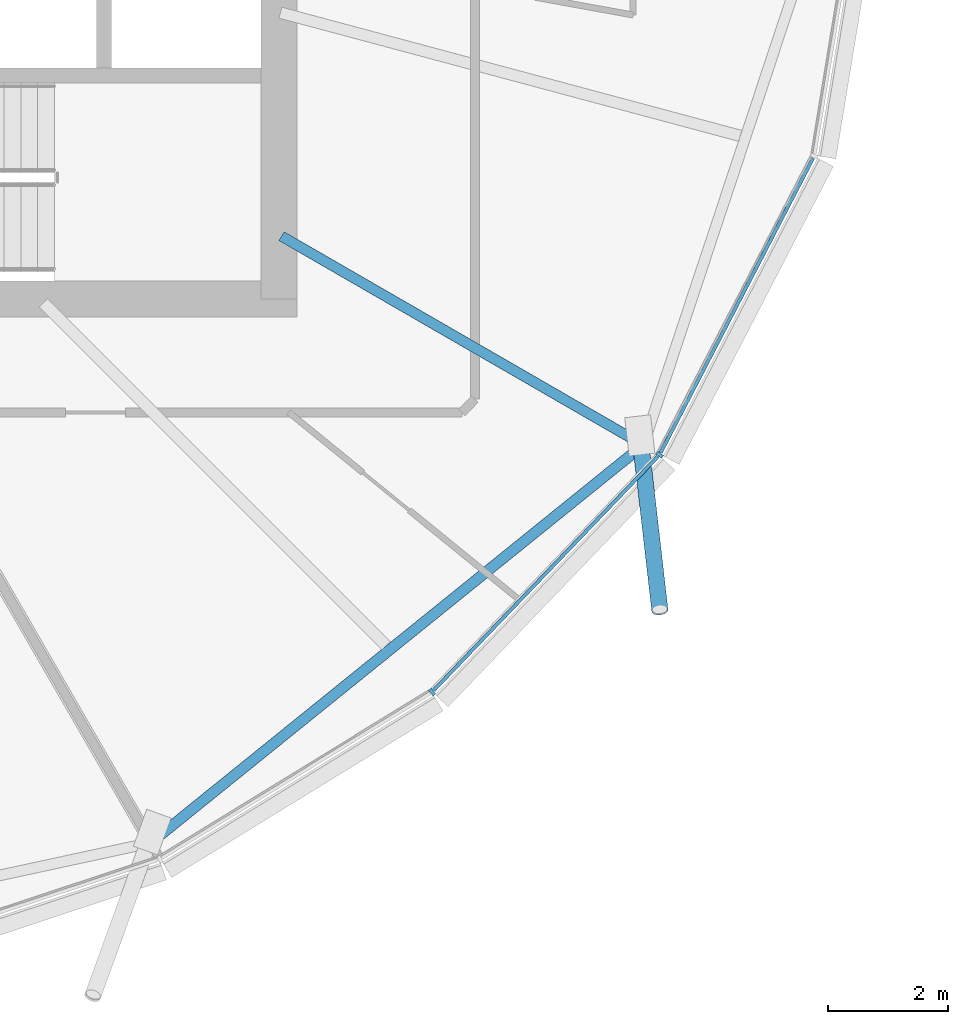
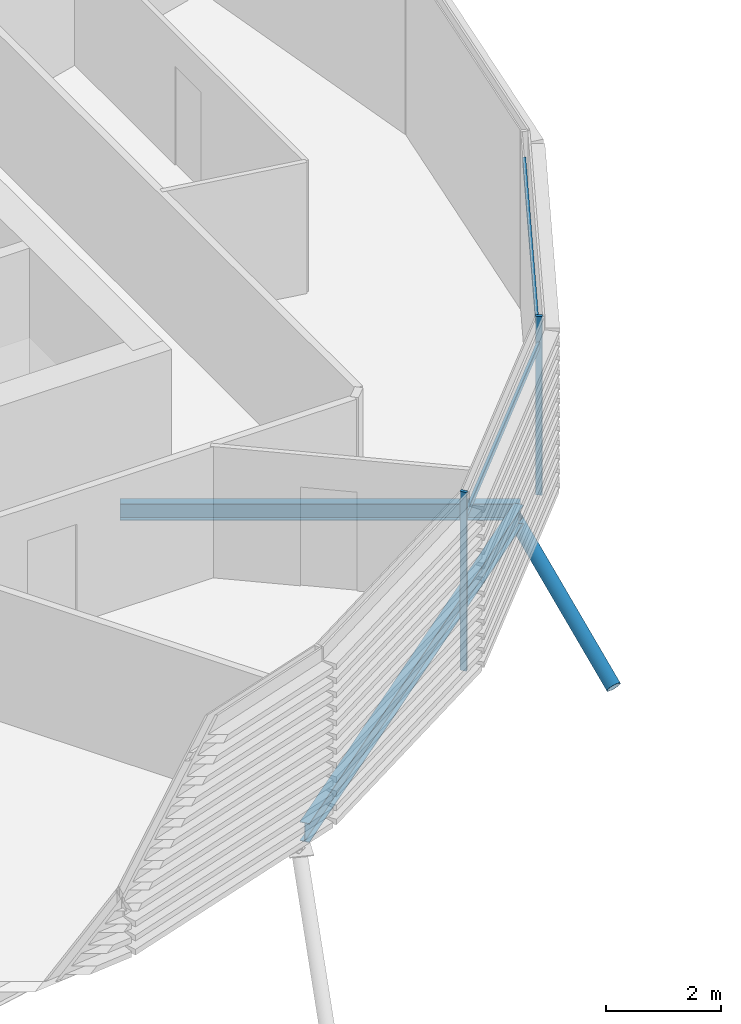
# One storey, part 6 of 36: 5 members, 2 beams, 1 element without a shape of its own.
"""IFC4 building model written with IfcOpenShell, lengths in metres."""

from ifc_helpers import new_model, si_unit, direction, frame, origin, origin_2d, place, context, subcontext, project, spatial, rectangle, hollow_circle, i_section, extrude, clip, halfspace, material, material_profile, profile_set, type_object, element, aggregate, save


model = new_model("IFC4")

# Units and contexts
model_context = context("Model", 3, precision=1e-05, world=origin(), true_north=direction((0.0, 1.0)))
body_context = subcontext(model_context, "Body", "Model", "MODEL_VIEW")
ifc_project = project(units=[si_unit("LENGTHUNIT", "METRE"), si_unit("AREAUNIT", "SQUARE_METRE"), si_unit("VOLUMEUNIT", "CUBIC_METRE"), si_unit("PLANEANGLEUNIT", "RADIAN"), si_unit("MASSUNIT", "GRAM", prefix="KILO")], contexts=[model_context])

# Site, building, storey
site_placement = place(None, origin())
site = spatial("IfcSite", under=ifc_project, at=site_placement, CompositionType="ELEMENT")
building_placement = place(site_placement, origin())
building = spatial("IfcBuilding", under=site, at=building_placement, Name="Rimbun Link Towers", CompositionType="ELEMENT")
storey_placement = place(building_placement, frame((0.0, 0.0, 189.300048828125)))
storey = spatial("IfcBuildingStorey", under=building, at=storey_placement, Name="L46", CompositionType="ELEMENT", Elevation=189.300048828125)

# Curtain wall, members
ifc_material_1 = material(Name="Aluminium 6063-T6 and low-iron glass", Category="aluminium")
curtain_wall_type = type_object("IfcCurtainWallType", Name="CW1-Z3 unitised vision wall (zone 3)", PredefinedType="NOTDEFINED", material=ifc_material_1)
curtain_wall_placement = place(storey_placement, origin())
curtain_wall = element("IfcCurtainWall", 1, at=curtain_wall_placement, inside=storey, type_object=curtain_wall_type, Name="CW1 L46 T1", PredefinedType="NOTDEFINED")
ifc_material_2 = material(Name="Aluminium 6063-T6", Category="aluminium")
ifc_material_profile_1 = material_profile(ifc_material_2, rectangle(XDim=0.1201171875, YDim=0.06005859375, at=origin_2d()), Name="MULLION 60X120")
ifc_profile_set_1 = profile_set([ifc_material_profile_1], Name="Aluminium 6063-T6")
member_type_1 = type_object("IfcMemberType", Name="CW1 mullion 60X120", PredefinedType="MULLION", material=ifc_profile_set_1)
member_1_placement = place(storey_placement, frame((-17.192626953125, -14.56640625, 0.0), z_axis=(0.0, 0.0, 1.0), x_axis=(0.627666301152, -0.778482507445, 0.0)))
member_1 = element("IfcMember", 2, at=member_1_placement, type_object=member_type_1, Name="CW1 mullion", PredefinedType="MULLION", context=body_context, shape_type="SweptSolid", body=[
    extrude(rectangle(XDim=0.1201171875, YDim=0.06005859375, at=origin_2d()), origin(), (0.0, 0.0, 1.0), 3.800048828125),
])
member_2_placement = place(storey_placement, frame((-13.394287109375, -10.6044921875, 0.0), z_axis=(0.0, 0.0, 1.0), x_axis=(0.813347109878, -0.581778719835, 0.0)))
member_2 = element("IfcMember", 3, at=member_2_placement, type_object=member_type_1, Name="CW1 mullion", PredefinedType="MULLION", context=body_context, shape_type="SweptSolid", body=[
    extrude(rectangle(XDim=0.1201171875, YDim=0.06005859375, at=origin_2d()), origin(), (0.0, 0.0, 1.0), 3.800048828125),
])
ifc_material_3 = material(Name="Aluminium 6063-T6", Category="aluminium")
ifc_material_profile_2 = material_profile(ifc_material_3, rectangle(XDim=0.06005859375, YDim=0.1201171875, at=origin_2d()), Name="TRANSOM 60X120")
ifc_profile_set_2 = profile_set([ifc_material_profile_2], Name="Aluminium 6063-T6")
member_type_2 = type_object("IfcMemberType", Name="CW1 transom 60X120", PredefinedType="USERDEFINED", material=ifc_profile_set_2)
member_3_placement = place(storey_placement, frame((-13.421875, -10.63134765625, 3.199951171875), z_axis=(-0.69204153112, -0.721857686255, 0.0), x_axis=(0.721857686255, -0.69204153112, 0.0)))
member_3 = element("IfcMember", 4, at=member_3_placement, type_object=member_type_2, Name="CW1 transom", ObjectType="TRANSOM", PredefinedType="USERDEFINED", context=body_context, shape_type="SweptSolid", body=[
    extrude(rectangle(XDim=0.06005859375, YDim=0.1201171875, at=origin_2d()), origin(), (0.0, 0.0, 1.0), 5.412353515625),
])
member_4_placement = place(storey_placement, frame((-10.831298828125, -5.648193359375, 3.199951171875), z_axis=(-0.459542776941, -0.888155637352, 0.0), x_axis=(0.888155637352, -0.459542776941, 0.0)))
member_4 = element("IfcMember", 5, at=member_4_placement, type_object=member_type_2, Name="CW1 transom", ObjectType="TRANSOM", PredefinedType="USERDEFINED", context=body_context, shape_type="SweptSolid", body=[
    extrude(rectangle(XDim=0.06005859375, YDim=0.1201171875, at=origin_2d()), origin(), (0.0, 0.0, 1.0), 5.541015625),
])
aggregate(curtain_wall, [member_1, member_2, member_3, member_4])

# Member
ifc_material_4 = material(Name="Steel S355J2H", Category="steel")
ifc_material_profile_3 = material_profile(ifc_material_4, hollow_circle(Radius=0.136474609375, WallThickness=0.012451171875, at=origin_2d()), Name="CHS 273x12.5")
ifc_profile_set_3 = profile_set([ifc_material_profile_3], Name="Steel S355J2H")
member_type_3 = type_object("IfcMemberType", Name="Floor edge link CHS 273x12.5", PredefinedType="BRACE", material=ifc_profile_set_3)
member_5_placement = place(storey_placement, frame((-13.709228515625, -10.416015625, -0.617919921875), z_axis=(0.09416513206, -0.820993246191, -0.563119008392), x_axis=(0.993486540182, 0.113949526005, 0.0)))
element("IfcMember", 6, at=member_5_placement, inside=storey, type_object=member_type_3, Name="Floor edge link T1 L46 22", PredefinedType="BRACE", context=body_context, shape_type="Clipping", body=[
    clip(extrude(hollow_circle(Radius=0.136474609375, WallThickness=0.012451171875, at=origin_2d()), frame((0.0, 0.0, -0.41845703125)), (0.0, 0.0, 1.0), 3.8095703125), halfspace(frame((0.0, 0.0, -0.19677734375), z_axis=(0.0, 0.826375811836, -0.563119008392)), False)),
])

# Beams
ifc_material_5 = material(Name="Steel S355J2", Category="steel")
ifc_material_profile_4 = material_profile(ifc_material_5, i_section(OverallWidth=0.17138671875, OverallDepth=0.35498046875, WebThickness=0.00732421875, FlangeThickness=0.011474609375, at=origin_2d()), Name="UB 356x171x51")
ifc_profile_set_4 = profile_set([ifc_material_profile_4], Name="Steel S355J2")
beam_type_1 = type_object("IfcBeamType", Name="UB 356x171x51", PredefinedType="BEAM", material=ifc_profile_set_4)
beam_1_placement = place(storey_placement, frame((-19.706298828125, -6.95361328125, -0.32763671875), z_axis=(0.866028783947, -0.499994145342, 0.0), x_axis=(0.499994145342, 0.866028783947, 0.0)))
element("IfcBeam", 7, at=beam_1_placement, inside=storey, type_object=beam_type_1, Name="Radial beam T1 L46 22", PredefinedType="BEAM", context=body_context, shape_type="SweptSolid", body=[
    extrude(i_section(OverallWidth=0.17138671875, OverallDepth=0.35498046875, WebThickness=0.00732421875, FlangeThickness=0.011474609375, at=origin_2d()), origin(), (0.0, 0.0, 1.0), 6.974609375),
])
ifc_material_6 = material(Name="Steel S355J2", Category="steel")
ifc_material_profile_5 = material_profile(ifc_material_6, i_section(OverallWidth=0.177978515625, OverallDepth=0.406494140625, WebThickness=0.0078125, FlangeThickness=0.0126953125, at=origin_2d()), Name="UB 406x178x60")
ifc_profile_set_5 = profile_set([ifc_material_profile_5], Name="Steel S355J2")
beam_type_2 = type_object("IfcBeamType", Name="UB 406x178x60", PredefinedType="BEAM", material=ifc_profile_set_5)
beam_2_placement = place(storey_placement, frame((-21.805419921875, -17.013427734375, -0.353271484375), z_axis=(0.778016870357, 0.62824338392, 0.0), x_axis=(-0.62824338392, 0.778016870357, 0.0)))
element("IfcBeam", 8, at=beam_2_placement, inside=storey, type_object=beam_type_2, Name="Edge beam T1 L46 20-22", PredefinedType="BEAM", context=body_context, shape_type="SweptSolid", body=[
    extrude(i_section(OverallWidth=0.177978515625, OverallDepth=0.406494140625, WebThickness=0.0078125, FlangeThickness=0.0126953125, at=origin_2d()), origin(), (0.0, 0.0, 1.0), 10.368896484375),
])

save(model, "model.ifc")
